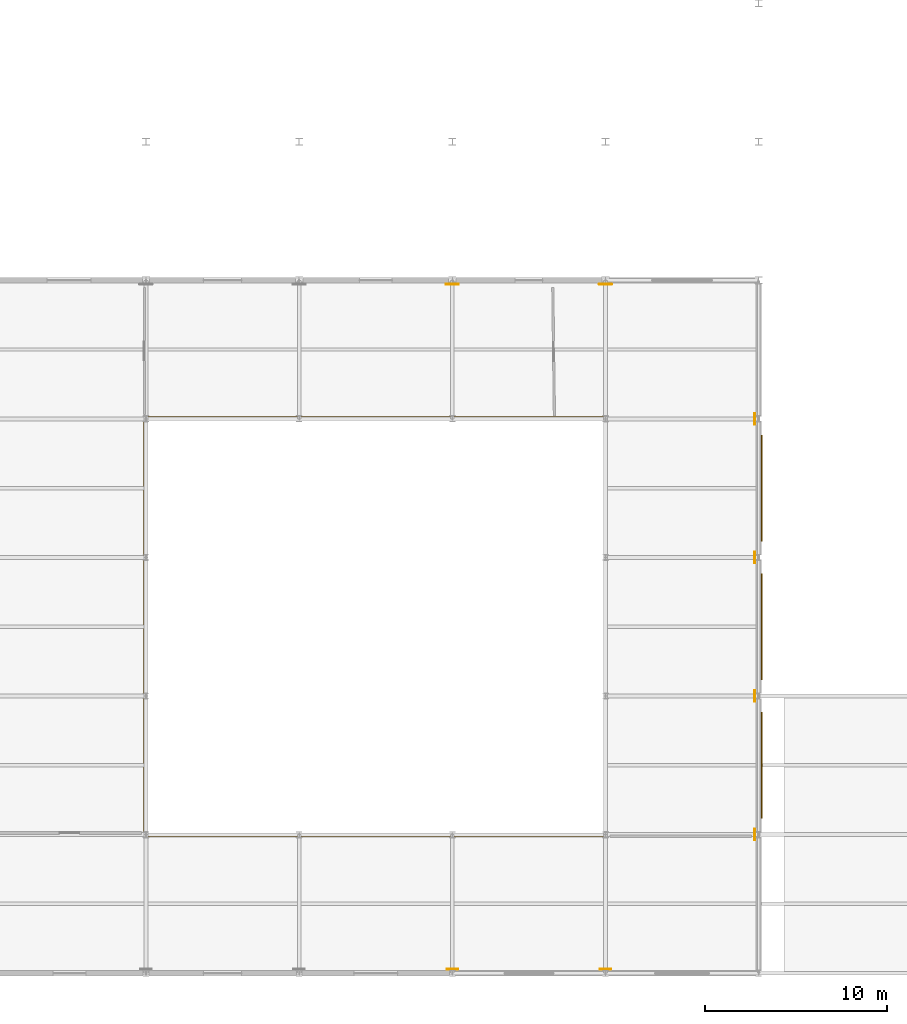
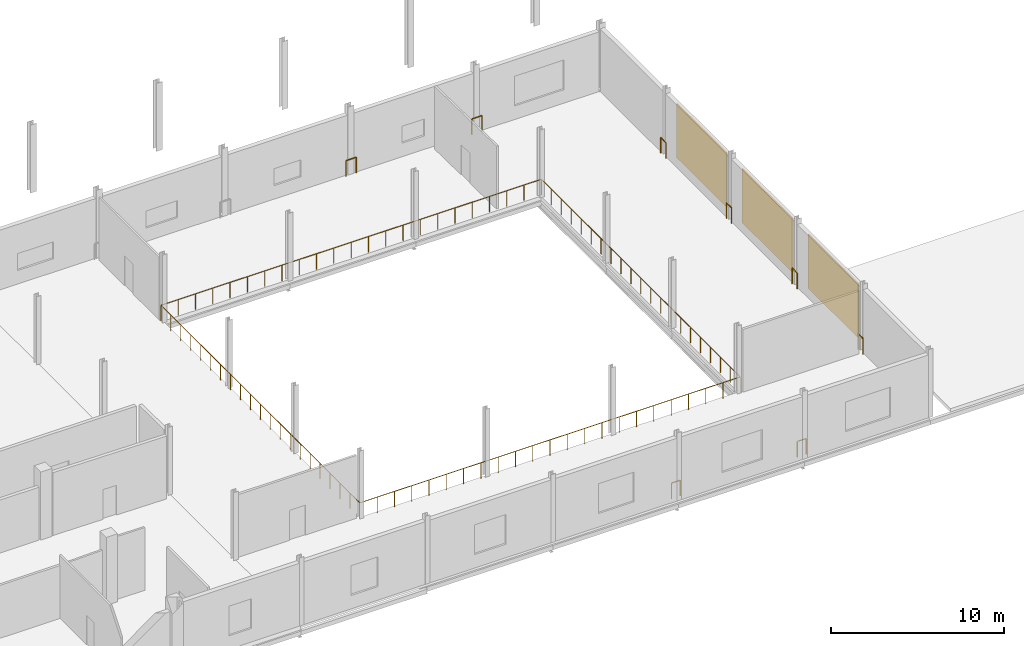
# One storey, part 50 of 51: 9 railings, 3 coverings.
"""IFC4 building model written with IfcOpenShell, lengths in metres."""

from ifc_helpers import new_model, si_unit, direction, frame, origin, origin_2d, place, context, subcontext, project, spatial, rectangle, circle, extrude, material, layer, layer_set, type_object, element, save


model = new_model("IFC4")

# Units and contexts
model_context = context("Model", 3, precision=1e-05, world=origin(), true_north=direction((0.0, 1.0)))
body_context = subcontext(model_context, "Body", "Model", "MODEL_VIEW")
ifc_project = project(units=[si_unit("LENGTHUNIT", "METRE"), si_unit("AREAUNIT", "SQUARE_METRE"), si_unit("VOLUMEUNIT", "CUBIC_METRE"), si_unit("PLANEANGLEUNIT", "RADIAN"), si_unit("MASSUNIT", "GRAM", prefix="KILO")], contexts=[model_context])

# Site, building, storey
site_placement = place(None, origin())
site = spatial("IfcSite", under=ifc_project, at=site_placement, CompositionType="ELEMENT")
building_placement = place(site_placement, origin())
building = spatial("IfcBuilding", under=site, at=building_placement, Name="Zuvorla Pavilion Media Centre", CompositionType="ELEMENT")
storey_placement = place(building_placement, frame((0.0, 0.0, 4.800048828125)))
storey = spatial("IfcBuildingStorey", under=building, at=storey_placement, Name="L01", CompositionType="ELEMENT", Elevation=4.800048828125)

# Coverings
ifc_material_1 = material(Name="Warm laterite precast claustra solar screen", Category="concrete")
ifc_layer = layer(ifc_material_1, 0.080078125)
ifc_layer_set = layer_set([ifc_layer], Name="Warm laterite precast claustra solar screen")
covering_type = type_object("IfcCoveringType", Name="COV-CLAD-LAT", PredefinedType="CLADDING", material=ifc_layer_set)
for number, where, z_axis, x_axis, name in (
    (1, (159.3701171875, 17.39990234375, 0.2998046875), (0.0, 0.0, 1.0), (1.0, 0.0, 0.0), "L01 laterite claustra screen 1"),
    (2, (159.3701171875, 25.0, 0.2998046875), (0.0, 0.0, 1.0), (1.0, 0.0, 0.0), "L01 laterite claustra screen 2"),
    (3, (159.3701171875, 32.60009765625, 0.2998046875), (0.0, 0.0, 1.0), (1.0, 0.0, 0.0), "L01 laterite claustra screen 3"),
):
    element("IfcCovering", number, at=place(storey_placement, frame(where, z_axis=z_axis, x_axis=x_axis)), inside=storey, type_object=covering_type, Name=name, PredefinedType="CLADDING", context=body_context, shape_type="SweptSolid", body=[
        extrude(rectangle(XDim=0.080078125, YDim=5.800048828125, at=origin_2d()), origin(), (0.0, 0.0, 1.0), 3.800048828125),
    ])

# Railings
ifc_material_2 = material(Name="Powder-coated steel balustrade guard", Category="steel")
railing_type = type_object("IfcRailingType", Name="RL-INT-GRD", PredefinedType="BALUSTRADE", material=ifc_material_2)
railing_1_placement = place(storey_placement, frame((125.5, 13.5, 0.0)))
element("IfcRailing", 4, at=railing_1_placement, inside=storey, type_object=railing_type, Name="L01 premvoid edge guard", PredefinedType="BALUSTRADE", context=body_context, shape_type="SweptSolid", body=[
    extrude(circle(Radius=0.02392578125, at=origin_2d()), frame((0.02880859375, 0.0, 1.09619140625), z_axis=(1.0, 0.0, 0.0), x_axis=(0.0, 1.0, 0.0)), (0.0, 0.0, 1.0), 25.34228515625),
    extrude(circle(Radius=0.02392578125, at=origin_2d()), frame((25.39990234375, 0.02880859375, 1.09619140625), z_axis=(0.0, 1.0, 0.0), x_axis=(-1.0, 0.0, 0.0)), (0.0, 0.0, 1.0), 22.9423828125),
    extrude(circle(Radius=0.02392578125, at=origin_2d()), frame((25.37109375, 23.0, 1.09619140625), z_axis=(-1.0, 0.0, 0.0), x_axis=(0.0, -1.0, 0.0)), (0.0, 0.0, 1.0), 25.34228515625),
    extrude(circle(Radius=0.02392578125, at=origin_2d()), frame((0.0, 22.97119140625, 1.09619140625), z_axis=(0.0, -1.0, 0.0), x_axis=(1.0, 0.0, 0.0)), (0.0, 0.0, 1.0), 22.9423828125),
    extrude(circle(Radius=0.02099609375, at=origin_2d()), origin(), (0.0, 0.0, 1.0), 1.070068359375),
    extrude(circle(Radius=0.02099609375, at=origin_2d()), frame((1.154541015625, 0.0, 0.0)), (0.0, 0.0, 1.0), 1.070068359375),
    extrude(circle(Radius=0.02099609375, at=origin_2d()), frame((2.30908203125, 0.0, 0.0)), (0.0, 0.0, 1.0), 1.070068359375),
    extrude(circle(Radius=0.02099609375, at=origin_2d()), frame((3.463623046875, 0.0, 0.0)), (0.0, 0.0, 1.0), 1.070068359375),
    extrude(circle(Radius=0.02099609375, at=origin_2d()), frame((4.6181640625, 0.0, 0.0)), (0.0, 0.0, 1.0), 1.070068359375),
    extrude(circle(Radius=0.02099609375, at=origin_2d()), frame((5.772705078125, 0.0, 0.0)), (0.0, 0.0, 1.0), 1.070068359375),
    extrude(circle(Radius=0.02099609375, at=origin_2d()), frame((6.92724609375, 0.0, 0.0)), (0.0, 0.0, 1.0), 1.070068359375),
    extrude(circle(Radius=0.02099609375, at=origin_2d()), frame((8.081787109375, 0.0, 0.0)), (0.0, 0.0, 1.0), 1.070068359375),
    extrude(circle(Radius=0.02099609375, at=origin_2d()), frame((9.236328125, 0.0, 0.0)), (0.0, 0.0, 1.0), 1.070068359375),
    extrude(circle(Radius=0.02099609375, at=origin_2d()), frame((10.390869140625, 0.0, 0.0)), (0.0, 0.0, 1.0), 1.070068359375),
    extrude(circle(Radius=0.02099609375, at=origin_2d()), frame((11.54541015625, 0.0, 0.0)), (0.0, 0.0, 1.0), 1.070068359375),
    extrude(circle(Radius=0.02099609375, at=origin_2d()), frame((12.699951171875, 0.0, 0.0)), (0.0, 0.0, 1.0), 1.070068359375),
    extrude(circle(Radius=0.02099609375, at=origin_2d()), frame((13.8544921875, 0.0, 0.0)), (0.0, 0.0, 1.0), 1.070068359375),
    extrude(circle(Radius=0.02099609375, at=origin_2d()), frame((15.009033203125, 0.0, 0.0)), (0.0, 0.0, 1.0), 1.070068359375),
    extrude(circle(Radius=0.02099609375, at=origin_2d()), frame((16.16357421875, 0.0, 0.0)), (0.0, 0.0, 1.0), 1.070068359375),
    extrude(circle(Radius=0.02099609375, at=origin_2d()), frame((17.318115234375, 0.0, 0.0)), (0.0, 0.0, 1.0), 1.070068359375),
    extrude(circle(Radius=0.02099609375, at=origin_2d()), frame((18.47265625, 0.0, 0.0)), (0.0, 0.0, 1.0), 1.070068359375),
    extrude(circle(Radius=0.02099609375, at=origin_2d()), frame((19.627197265625, 0.0, 0.0)), (0.0, 0.0, 1.0), 1.070068359375),
    extrude(circle(Radius=0.02099609375, at=origin_2d()), frame((20.78173828125, 0.0, 0.0)), (0.0, 0.0, 1.0), 1.070068359375),
    extrude(circle(Radius=0.02099609375, at=origin_2d()), frame((21.936279296875, 0.0, 0.0)), (0.0, 0.0, 1.0), 1.070068359375),
    extrude(circle(Radius=0.02099609375, at=origin_2d()), frame((23.0908203125, 0.0, 0.0)), (0.0, 0.0, 1.0), 1.070068359375),
    extrude(circle(Radius=0.02099609375, at=origin_2d()), frame((24.245361328125, 0.0, 0.0)), (0.0, 0.0, 1.0), 1.070068359375),
    extrude(circle(Radius=0.02099609375, at=origin_2d()), frame((25.39990234375, 0.0, 0.0)), (0.0, 0.0, 1.0), 1.070068359375),
    extrude(circle(Radius=0.02099609375, at=origin_2d()), frame((25.39990234375, 1.14990234375, 0.0)), (0.0, 0.0, 1.0), 1.070068359375),
    extrude(circle(Radius=0.02099609375, at=origin_2d()), frame((25.39990234375, 2.300048828125, 0.0)), (0.0, 0.0, 1.0), 1.070068359375),
    extrude(circle(Radius=0.02099609375, at=origin_2d()), frame((25.39990234375, 3.449951171875, 0.0)), (0.0, 0.0, 1.0), 1.070068359375),
    extrude(circle(Radius=0.02099609375, at=origin_2d()), frame((25.39990234375, 4.60009765625, 0.0)), (0.0, 0.0, 1.0), 1.070068359375),
    extrude(circle(Radius=0.02099609375, at=origin_2d()), frame((25.39990234375, 5.75, 0.0)), (0.0, 0.0, 1.0), 1.070068359375),
    extrude(circle(Radius=0.02099609375, at=origin_2d()), frame((25.39990234375, 6.89990234375, 0.0)), (0.0, 0.0, 1.0), 1.070068359375),
    extrude(circle(Radius=0.02099609375, at=origin_2d()), frame((25.39990234375, 8.050048828125, 0.0)), (0.0, 0.0, 1.0), 1.070068359375),
    extrude(circle(Radius=0.02099609375, at=origin_2d()), frame((25.39990234375, 9.199951171875, 0.0)), (0.0, 0.0, 1.0), 1.070068359375),
    extrude(circle(Radius=0.02099609375, at=origin_2d()), frame((25.39990234375, 10.35009765625, 0.0)), (0.0, 0.0, 1.0), 1.070068359375),
    extrude(circle(Radius=0.02099609375, at=origin_2d()), frame((25.39990234375, 11.5, 0.0)), (0.0, 0.0, 1.0), 1.070068359375),
    extrude(circle(Radius=0.02099609375, at=origin_2d()), frame((25.39990234375, 12.64990234375, 0.0)), (0.0, 0.0, 1.0), 1.070068359375),
    extrude(circle(Radius=0.02099609375, at=origin_2d()), frame((25.39990234375, 13.800048828125, 0.0)), (0.0, 0.0, 1.0), 1.070068359375),
    extrude(circle(Radius=0.02099609375, at=origin_2d()), frame((25.39990234375, 14.949951171875, 0.0)), (0.0, 0.0, 1.0), 1.070068359375),
    extrude(circle(Radius=0.02099609375, at=origin_2d()), frame((25.39990234375, 16.10009765625, 0.0)), (0.0, 0.0, 1.0), 1.070068359375),
    extrude(circle(Radius=0.02099609375, at=origin_2d()), frame((25.39990234375, 17.25, 0.0)), (0.0, 0.0, 1.0), 1.070068359375),
    extrude(circle(Radius=0.02099609375, at=origin_2d()), frame((25.39990234375, 18.39990234375, 0.0)), (0.0, 0.0, 1.0), 1.070068359375),
    extrude(circle(Radius=0.02099609375, at=origin_2d()), frame((25.39990234375, 19.550048828125, 0.0)), (0.0, 0.0, 1.0), 1.070068359375),
    extrude(circle(Radius=0.02099609375, at=origin_2d()), frame((25.39990234375, 20.699951171875, 0.0)), (0.0, 0.0, 1.0), 1.070068359375),
    extrude(circle(Radius=0.02099609375, at=origin_2d()), frame((25.39990234375, 21.85009765625, 0.0)), (0.0, 0.0, 1.0), 1.070068359375),
    extrude(circle(Radius=0.02099609375, at=origin_2d()), frame((25.39990234375, 23.0, 0.0)), (0.0, 0.0, 1.0), 1.070068359375),
    extrude(circle(Radius=0.02099609375, at=origin_2d()), frame((24.245361328125, 23.0, 0.0)), (0.0, 0.0, 1.0), 1.070068359375),
    extrude(circle(Radius=0.02099609375, at=origin_2d()), frame((23.0908203125, 23.0, 0.0)), (0.0, 0.0, 1.0), 1.070068359375),
    extrude(circle(Radius=0.02099609375, at=origin_2d()), frame((21.936279296875, 23.0, 0.0)), (0.0, 0.0, 1.0), 1.070068359375),
    extrude(circle(Radius=0.02099609375, at=origin_2d()), frame((20.78173828125, 23.0, 0.0)), (0.0, 0.0, 1.0), 1.070068359375),
    extrude(circle(Radius=0.02099609375, at=origin_2d()), frame((19.627197265625, 23.0, 0.0)), (0.0, 0.0, 1.0), 1.070068359375),
    extrude(circle(Radius=0.02099609375, at=origin_2d()), frame((18.47265625, 23.0, 0.0)), (0.0, 0.0, 1.0), 1.070068359375),
    extrude(circle(Radius=0.02099609375, at=origin_2d()), frame((17.318115234375, 23.0, 0.0)), (0.0, 0.0, 1.0), 1.070068359375),
    extrude(circle(Radius=0.02099609375, at=origin_2d()), frame((16.16357421875, 23.0, 0.0)), (0.0, 0.0, 1.0), 1.070068359375),
    extrude(circle(Radius=0.02099609375, at=origin_2d()), frame((15.009033203125, 23.0, 0.0)), (0.0, 0.0, 1.0), 1.070068359375),
    extrude(circle(Radius=0.02099609375, at=origin_2d()), frame((13.8544921875, 23.0, 0.0)), (0.0, 0.0, 1.0), 1.070068359375),
    extrude(circle(Radius=0.02099609375, at=origin_2d()), frame((12.699951171875, 23.0, 0.0)), (0.0, 0.0, 1.0), 1.070068359375),
    extrude(circle(Radius=0.02099609375, at=origin_2d()), frame((11.54541015625, 23.0, 0.0)), (0.0, 0.0, 1.0), 1.070068359375),
    extrude(circle(Radius=0.02099609375, at=origin_2d()), frame((10.390869140625, 23.0, 0.0)), (0.0, 0.0, 1.0), 1.070068359375),
    extrude(circle(Radius=0.02099609375, at=origin_2d()), frame((9.236328125, 23.0, 0.0)), (0.0, 0.0, 1.0), 1.070068359375),
    extrude(circle(Radius=0.02099609375, at=origin_2d()), frame((8.081787109375, 23.0, 0.0)), (0.0, 0.0, 1.0), 1.070068359375),
    extrude(circle(Radius=0.02099609375, at=origin_2d()), frame((6.92724609375, 23.0, 0.0)), (0.0, 0.0, 1.0), 1.070068359375),
    extrude(circle(Radius=0.02099609375, at=origin_2d()), frame((5.772705078125, 23.0, 0.0)), (0.0, 0.0, 1.0), 1.070068359375),
    extrude(circle(Radius=0.02099609375, at=origin_2d()), frame((4.6181640625, 23.0, 0.0)), (0.0, 0.0, 1.0), 1.070068359375),
    extrude(circle(Radius=0.02099609375, at=origin_2d()), frame((3.463623046875, 23.0, 0.0)), (0.0, 0.0, 1.0), 1.070068359375),
    extrude(circle(Radius=0.02099609375, at=origin_2d()), frame((2.30908203125, 23.0, 0.0)), (0.0, 0.0, 1.0), 1.070068359375),
    extrude(circle(Radius=0.02099609375, at=origin_2d()), frame((1.154541015625, 23.0, 0.0)), (0.0, 0.0, 1.0), 1.070068359375),
    extrude(circle(Radius=0.02099609375, at=origin_2d()), frame((0.0, 23.0, 0.0)), (0.0, 0.0, 1.0), 1.070068359375),
    extrude(circle(Radius=0.02099609375, at=origin_2d()), frame((0.0, 21.85009765625, 0.0)), (0.0, 0.0, 1.0), 1.070068359375),
    extrude(circle(Radius=0.02099609375, at=origin_2d()), frame((0.0, 20.699951171875, 0.0)), (0.0, 0.0, 1.0), 1.070068359375),
    extrude(circle(Radius=0.02099609375, at=origin_2d()), frame((0.0, 19.550048828125, 0.0)), (0.0, 0.0, 1.0), 1.070068359375),
    extrude(circle(Radius=0.02099609375, at=origin_2d()), frame((0.0, 18.39990234375, 0.0)), (0.0, 0.0, 1.0), 1.070068359375),
    extrude(circle(Radius=0.02099609375, at=origin_2d()), frame((0.0, 17.25, 0.0)), (0.0, 0.0, 1.0), 1.070068359375),
    extrude(circle(Radius=0.02099609375, at=origin_2d()), frame((0.0, 16.10009765625, 0.0)), (0.0, 0.0, 1.0), 1.070068359375),
    extrude(circle(Radius=0.02099609375, at=origin_2d()), frame((0.0, 14.949951171875, 0.0)), (0.0, 0.0, 1.0), 1.070068359375),
    extrude(circle(Radius=0.02099609375, at=origin_2d()), frame((0.0, 13.800048828125, 0.0)), (0.0, 0.0, 1.0), 1.070068359375),
    extrude(circle(Radius=0.02099609375, at=origin_2d()), frame((0.0, 12.64990234375, 0.0)), (0.0, 0.0, 1.0), 1.070068359375),
    extrude(circle(Radius=0.02099609375, at=origin_2d()), frame((0.0, 11.5, 0.0)), (0.0, 0.0, 1.0), 1.070068359375),
    extrude(circle(Radius=0.02099609375, at=origin_2d()), frame((0.0, 10.35009765625, 0.0)), (0.0, 0.0, 1.0), 1.070068359375),
    extrude(circle(Radius=0.02099609375, at=origin_2d()), frame((0.0, 9.199951171875, 0.0)), (0.0, 0.0, 1.0), 1.070068359375),
    extrude(circle(Radius=0.02099609375, at=origin_2d()), frame((0.0, 8.050048828125, 0.0)), (0.0, 0.0, 1.0), 1.070068359375),
    extrude(circle(Radius=0.02099609375, at=origin_2d()), frame((0.0, 6.89990234375, 0.0)), (0.0, 0.0, 1.0), 1.070068359375),
    extrude(circle(Radius=0.02099609375, at=origin_2d()), frame((0.0, 5.75, 0.0)), (0.0, 0.0, 1.0), 1.070068359375),
    extrude(circle(Radius=0.02099609375, at=origin_2d()), frame((0.0, 4.60009765625, 0.0)), (0.0, 0.0, 1.0), 1.070068359375),
    extrude(circle(Radius=0.02099609375, at=origin_2d()), frame((0.0, 3.449951171875, 0.0)), (0.0, 0.0, 1.0), 1.070068359375),
    extrude(circle(Radius=0.02099609375, at=origin_2d()), frame((0.0, 2.300048828125, 0.0)), (0.0, 0.0, 1.0), 1.070068359375),
    extrude(circle(Radius=0.02099609375, at=origin_2d()), frame((0.0, 1.14990234375, 0.0)), (0.0, 0.0, 1.0), 1.070068359375),
])
for number, where, name in (
    (5, (158.97998046875, 36.7001953125, 0.0), "L01 slab edge guard 1"),
    (6, (158.97998046875, 29.10009765625, 0.0), "L01 slab edge guard 2"),
):
    element("IfcRailing", number, at=place(storey_placement, frame(where)), inside=storey, type_object=railing_type, Name=name, PredefinedType="BALUSTRADE", context=body_context, shape_type="SweptSolid", body=[
        extrude(circle(Radius=0.02392578125, at=origin_2d()), frame((0.0, -0.02880859375, 1.09619140625), z_axis=(0.0, -1.0, 0.0), x_axis=(1.0, 0.0, 0.0)), (0.0, 0.0, 1.0), 0.542724609375),
        extrude(circle(Radius=0.02099609375, at=origin_2d()), origin(), (0.0, 0.0, 1.0), 1.070068359375),
        extrude(circle(Radius=0.02099609375, at=origin_2d()), frame((0.0, -0.600341796875, 0.0)), (0.0, 0.0, 1.0), 1.070068359375),
    ])
railing_2_placement = place(storey_placement, frame((158.97998046875, 21.500244140625, 0.0)))
element("IfcRailing", 7, at=railing_2_placement, inside=storey, type_object=railing_type, Name="L01 slab edge guard 3", PredefinedType="BALUSTRADE", context=body_context, shape_type="SweptSolid", body=[
    extrude(circle(Radius=0.02392578125, at=origin_2d()), frame((0.0, -0.02880859375, 1.09619140625), z_axis=(0.0, -1.0, 0.0), x_axis=(1.0, 0.0, 0.0)), (0.0, 0.0, 1.0), 0.54296875),
    extrude(circle(Radius=0.02099609375, at=origin_2d()), origin(), (0.0, 0.0, 1.0), 1.070068359375),
    extrude(circle(Radius=0.02099609375, at=origin_2d()), frame((0.0, -0.6005859375, 0.0)), (0.0, 0.0, 1.0), 1.070068359375),
])
railing_3_placement = place(storey_placement, frame((158.97998046875, 13.900146484375, 0.0)))
element("IfcRailing", 8, at=railing_3_placement, inside=storey, type_object=railing_type, Name="L01 slab edge guard 4", PredefinedType="BALUSTRADE", context=body_context, shape_type="SweptSolid", body=[
    extrude(circle(Radius=0.02392578125, at=origin_2d()), frame((0.0, -0.02880859375, 1.09619140625), z_axis=(0.0, -1.0, 0.0), x_axis=(1.0, 0.0, 0.0)), (0.0, 0.0, 1.0), 0.542724609375),
    extrude(circle(Radius=0.02099609375, at=origin_2d()), origin(), (0.0, 0.0, 1.0), 1.070068359375),
    extrude(circle(Radius=0.02099609375, at=origin_2d()), frame((0.0, -0.600341796875, 0.0)), (0.0, 0.0, 1.0), 1.070068359375),
])
for number, where, name in (
    (9, (151.094482421875, 6.219970703125, 0.0), "L01 slab edge guard 5"),
    (10, (142.694580078125, 6.219970703125, 0.0), "L01 slab edge guard 6"),
):
    element("IfcRailing", number, at=place(storey_placement, frame(where)), inside=storey, type_object=railing_type, Name=name, PredefinedType="BALUSTRADE", context=body_context, shape_type="SweptSolid", body=[
        extrude(circle(Radius=0.02392578125, at=origin_2d()), frame((-0.02880859375, 0.0, 1.09619140625), z_axis=(-1.0, 0.0, 0.0), x_axis=(0.0, -1.0, 0.0)), (0.0, 0.0, 1.0), 0.531494140625),
        extrude(circle(Radius=0.02099609375, at=origin_2d()), origin(), (0.0, 0.0, 1.0), 1.070068359375),
        extrude(circle(Radius=0.02099609375, at=origin_2d()), frame((-0.589111328125, 0.0, 0.0)), (0.0, 0.0, 1.0), 1.070068359375),
    ])
for number, where, name in (
    (11, (142.060546875, 43.780029296875, 0.0), "L01 slab edge guard 37"),
    (12, (150.46044921875, 43.780029296875, 0.0), "L01 slab edge guard 38"),
):
    element("IfcRailing", number, at=place(storey_placement, frame(where)), inside=storey, type_object=railing_type, Name=name, PredefinedType="BALUSTRADE", context=body_context, shape_type="SweptSolid", body=[
        extrude(circle(Radius=0.02392578125, at=origin_2d()), frame((0.02880859375, 0.0, 1.09619140625), z_axis=(1.0, 0.0, 0.0), x_axis=(0.0, 1.0, 0.0)), (0.0, 0.0, 1.0), 0.621337890625),
        extrude(circle(Radius=0.02099609375, at=origin_2d()), origin(), (0.0, 0.0, 1.0), 1.070068359375),
        extrude(circle(Radius=0.02099609375, at=origin_2d()), frame((0.678955078125, 0.0, 0.0)), (0.0, 0.0, 1.0), 1.070068359375),
    ])

save(model, "model.ifc")
